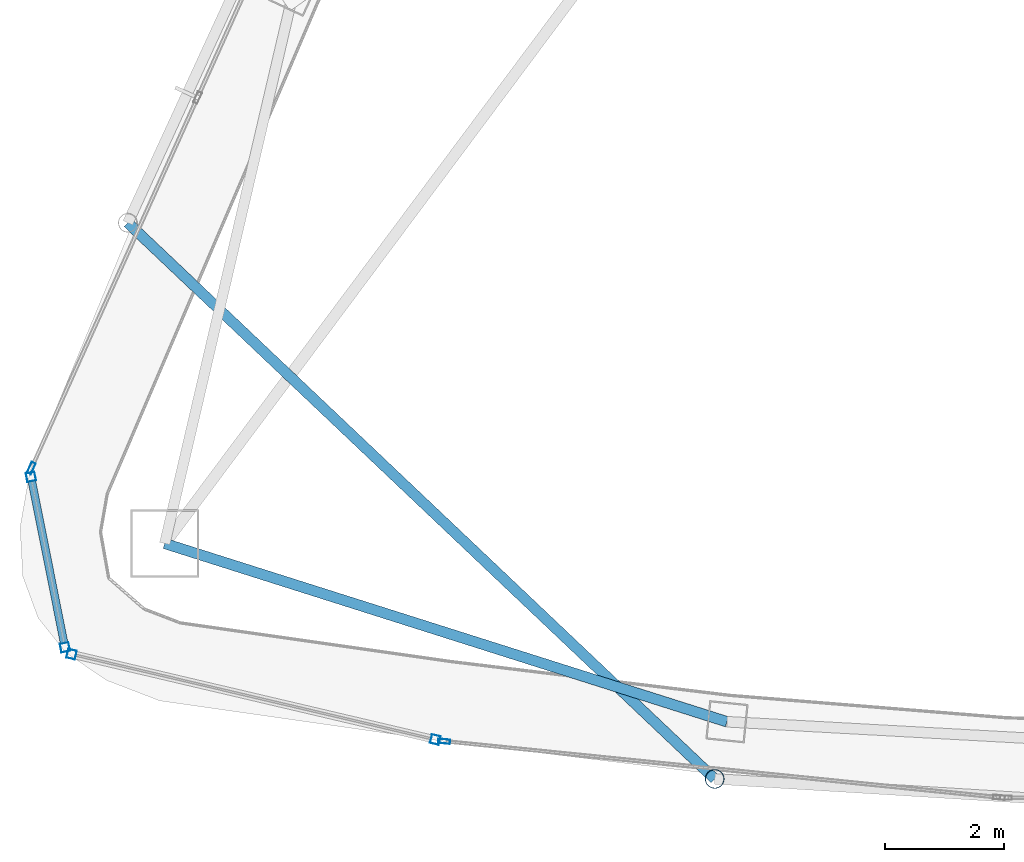
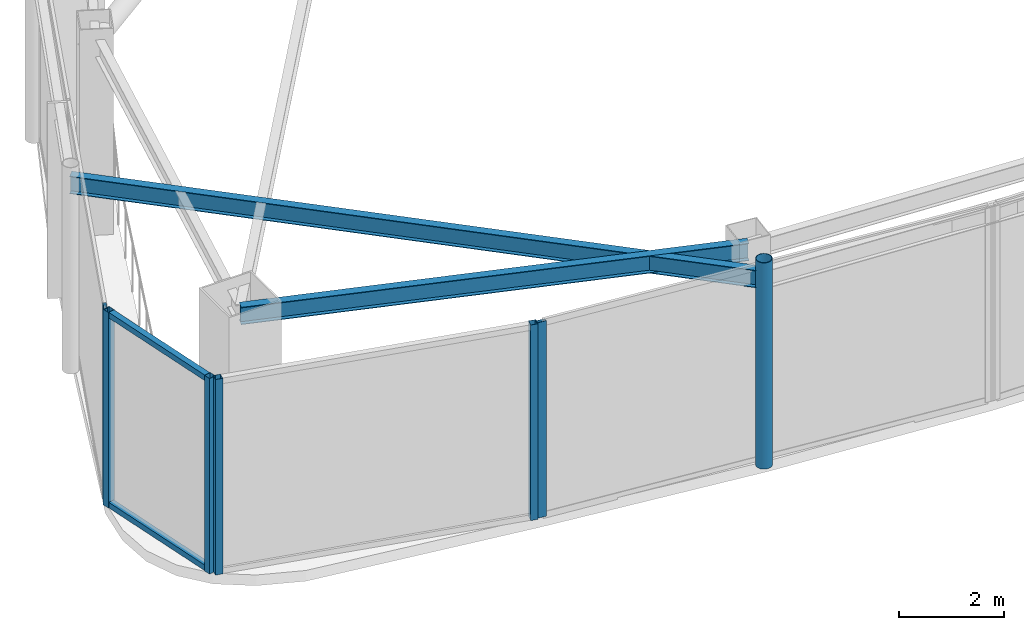
# One storey, part 2 of 20: 9 members, 2 beams, 4 elements without a shape of their own.
"""IFC4 building model written with IfcOpenShell, lengths in metres."""

import ifcopenshell
import ifcopenshell.guid

model = None  # the IFC model being written
_history = None  # IfcOwnerHistory: only IFC2X3 demands one
_inside = {}  # id of a spatial element -> (the spatial element, [elements in it])
_under = {}  # id of a project, library or spatial element -> (it, [spatial elements below it])
_declared = {}  # id of a project -> (the project, [libraries it declares])
_typed = {}  # id of a type object -> (the type object, [elements of that type])
_made_of = {}  # id of a material, layer set ... -> (it, [elements and type objects made of it])


def new_model(schema):
    """Start an empty IFC model of exactly this schema.

    Asked for "IFC4X3", IfcOpenShell would pick the latest addendum, in which some entities
    have other attributes; the version numbers below select the first issue.
    IFC2X3 requires an IfcOwnerHistory on every rooted entity: one is made here for all.
    """
    global model, _history
    if schema == "IFC4X3":
        model = ifcopenshell.file(schema_version=(4, 3, 0, 0))
    else:
        model = ifcopenshell.file(schema=schema)
    _inside.clear()
    _under.clear()
    _declared.clear()
    _typed.clear()
    _made_of.clear()
    _history = None
    if model.schema == "IFC2X3":
        org = make("IfcOrganization", Name="unknown")
        user = make(
            "IfcPersonAndOrganization",
            ThePerson=make("IfcPerson", FamilyName="unknown"),
            TheOrganization=org,
        )
        app = make(
            "IfcApplication",
            ApplicationDeveloper=org,
            Version="unknown",
            ApplicationFullName="unknown",
            ApplicationIdentifier="unknown",
        )
        _history = make(
            "IfcOwnerHistory",
            OwningUser=user,
            OwningApplication=app,
            ChangeAction="ADDED",
            CreationDate=0,
        )
    return model


def make(cls, **values):
    """One entity of the class cls with the attributes given. An attribute that is None is left unset."""
    return model.create_entity(
        cls, **{name: value for name, value in values.items() if value is not None}
    )


def rooted(cls, **values):
    """An entity with a GlobalId (a new one), such as an element, a storey or a relation."""
    return make(cls, GlobalId=ifcopenshell.guid.new(), OwnerHistory=_history, **values)


def si_unit(unit_type, name, prefix=None):
    """IfcSIUnit, for example si_unit("LENGTHUNIT", "METRE", prefix="MILLI")."""
    return make("IfcSIUnit", UnitType=unit_type, Prefix=prefix, Name=name)


def assignment(units):
    """IfcUnitAssignment: the units of a project."""
    return None if units is None else make("IfcUnitAssignment", Units=units)


def point(xyz):
    """IfcCartesianPoint."""
    return None if xyz is None else make("IfcCartesianPoint", Coordinates=xyz)


def direction(xyz):
    """IfcDirection."""
    return None if xyz is None else make("IfcDirection", DirectionRatios=xyz)


def frame(location, z_axis=None, x_axis=None):
    """IfcAxis2Placement3D, a coordinate frame: its origin and axes. An axis left out is left unset."""
    return make(
        "IfcAxis2Placement3D",
        Location=point(location),
        Axis=direction(z_axis),
        RefDirection=direction(x_axis),
    )


def frame_2d(location, x_axis=None):
    """IfcAxis2Placement2D, a coordinate frame in the plane: its origin and x axis."""
    return make(
        "IfcAxis2Placement2D", Location=point(location), RefDirection=direction(x_axis)
    )


def origin():
    """The frame at (0, 0, 0) with its axes left unset."""
    return frame((0.0, 0.0, 0.0))


def origin_2d():
    """The frame at (0, 0) in the plane with its x axis left unset."""
    return frame_2d((0.0, 0.0))


def place(relative_to, where):
    """IfcLocalPlacement: puts the frame where relative to a parent placement (None: the world)."""
    return make(
        "IfcLocalPlacement", PlacementRelTo=relative_to, RelativePlacement=where
    )


def context(
    kind, dimensions, precision=None, world=None, true_north=None, identifier=None
):
    """IfcGeometricRepresentationContext, for example the 3D "Model" context."""
    return make(
        "IfcGeometricRepresentationContext",
        ContextIdentifier=identifier,
        ContextType=kind,
        CoordinateSpaceDimension=dimensions,
        Precision=precision,
        WorldCoordinateSystem=world,
        TrueNorth=true_north,
    )


def subcontext(parent, identifier, kind, view, scale=None):
    """IfcGeometricRepresentationSubContext, for example "Body" below "Model"."""
    return make(
        "IfcGeometricRepresentationSubContext",
        ContextIdentifier=identifier,
        ContextType=kind,
        ParentContext=parent,
        TargetScale=scale,
        TargetView=view,
    )


def project(units=None, contexts=None):
    """IfcProject with its units and contexts."""
    return rooted(
        "IfcProject",
        Name="project",
        RepresentationContexts=contexts,
        UnitsInContext=assignment(units),
    )


def spatial(cls, under=None, at=None, **own):
    """A site, building, storey or space (cls), placed at a placement, below another one or the project."""
    s = rooted(cls, ObjectPlacement=at, **own)
    if under is not None:
        _under.setdefault(under.id(), (under, []))[1].append(s)
    return s


def profile(cls, at=None, kind="AREA", **sizes):
    """A parametric profile (cls). Its sizes go by their IFC names, for example OverallWidth=200.0."""
    return make(cls, ProfileType=kind, Position=at, **sizes)


def hollow_rectangle(**sizes):
    """IfcRectangleHollowProfileDef."""
    return profile("IfcRectangleHollowProfileDef", **sizes)


def hollow_circle(**sizes):
    """IfcCircleHollowProfileDef."""
    return profile("IfcCircleHollowProfileDef", **sizes)


def i_section(**sizes):
    """IfcIShapeProfileDef."""
    return profile("IfcIShapeProfileDef", **sizes)


def extrude(swept, where, along, depth):
    """IfcExtrudedAreaSolid: the profile swept, set in the frame where, extruded along a direction by depth."""
    return make(
        "IfcExtrudedAreaSolid",
        SweptArea=swept,
        Position=where,
        ExtrudedDirection=direction(along),
        Depth=depth,
    )


def shape(context_of_items, identifier, shape_type, items):
    """IfcShapeRepresentation: the items that make up one representation, for example the "Body"."""
    return make(
        "IfcShapeRepresentation",
        ContextOfItems=context_of_items,
        RepresentationIdentifier=identifier,
        RepresentationType=shape_type,
        Items=items,
    )


def material(Name=None, Category=None):
    """IfcMaterial."""
    return make("IfcMaterial", Name=Name, Category=Category)


def layer(
    of_material, thickness, ventilated=None, Name=None, Category=None, Priority=None
):
    """IfcMaterialLayer: one layer of a wall or slab, of a material (None: an air gap)."""
    return make(
        "IfcMaterialLayer",
        Material=of_material,
        LayerThickness=thickness,
        IsVentilated=ventilated,
        Name=Name,
        Category=Category,
        Priority=Priority,
    )


def layer_set(layers, Name=None):
    """IfcMaterialLayerSet."""
    return make("IfcMaterialLayerSet", MaterialLayers=layers, LayerSetName=Name)


def material_profile(
    of_material, cross_section, Name=None, Category=None, Priority=None
):
    """IfcMaterialProfile: a cross section and its material."""
    return make(
        "IfcMaterialProfile",
        Name=Name,
        Material=of_material,
        Profile=cross_section,
        Priority=Priority,
        Category=Category,
    )


def profile_set(profiles, Name=None, composite=None):
    """IfcMaterialProfileSet."""
    return make(
        "IfcMaterialProfileSet",
        Name=Name,
        MaterialProfiles=profiles,
        CompositeProfile=composite,
    )


def made_of(thing, what):
    """Note that an element or type object is made of a material, layer set ...; save() writes the relation."""
    if what is not None:
        _made_of.setdefault(what.id(), (what, []))[1].append(thing)
    return thing


def type_object(cls, material=None, **own):
    """A type object (cls), such as IfcWallType, which elements share."""
    return made_of(rooted(cls, **own), material)


def element(
    cls,
    number,
    at=None,
    inside=None,
    cuts=None,
    type_object=None,
    material=None,
    context=None,
    identifier="Body",
    shape_type=None,
    held_by="IfcProductDefinitionShape",
    body=None,
    shapes=None,
    **own,
):
    """One element of the class cls, such as IfcWall. Its Tag is "e" and its number.

    at: its placement. inside: the storey or other place that contains it. cuts: it is an
    opening in that element (IfcRelVoidsElement). A single representation is given by context,
    identifier, shape_type and body (its items); several are given by shapes. held_by: the class
    of the entity that holds the representations. save() writes the other relations.
    """
    e = rooted(cls, Tag="e%d" % number, ObjectPlacement=at, **own)
    if body is not None:
        shapes = [shape(context, identifier, shape_type, body)]
    if shapes is not None:
        e.Representation = make(held_by, Representations=shapes)
    if inside is not None:
        _inside.setdefault(inside.id(), (inside, []))[1].append(e)
    if cuts is not None:
        rooted(
            "IfcRelVoidsElement", RelatingBuildingElement=cuts, RelatedOpeningElement=e
        )
    if type_object is not None:
        _typed.setdefault(type_object.id(), (type_object, []))[1].append(e)
    return made_of(e, material)


def aggregate(whole, parts):
    """IfcRelAggregates: a whole, such as a stair, and the parts it consists of."""
    return rooted("IfcRelAggregates", RelatingObject=whole, RelatedObjects=parts)


def save(model, path):
    """Write the relations noted so far, then the file.

    IfcRelAggregates (storeys below a building ...), IfcRelContainedInSpatialStructure (elements
    in a storey), IfcRelDefinesByType, IfcRelAssociatesMaterial and IfcRelDeclares: one each for
    every whole, place, type object, material and project.
    """
    for whole, parts in _under.values():
        aggregate(whole, parts)
    for where, things in _inside.values():
        rooted(
            "IfcRelContainedInSpatialStructure",
            RelatedElements=things,
            RelatingStructure=where,
        )
    for kind, things in _typed.values():
        rooted("IfcRelDefinesByType", RelatedObjects=things, RelatingType=kind)
    for what, things in _made_of.values():
        rooted("IfcRelAssociatesMaterial", RelatedObjects=things, RelatingMaterial=what)
    for by, libraries in _declared.values():
        rooted("IfcRelDeclares", RelatingContext=by, RelatedDefinitions=libraries)
    model.write(path)


model = new_model("IFC4")

# Units and contexts
model_context = context("Model", 3, precision=1e-05, world=origin(), true_north=direction((0.0, 1.0)))
body_context = subcontext(model_context, "Body", "Model", "MODEL_VIEW")
ifc_project = project(units=[si_unit("LENGTHUNIT", "METRE"), si_unit("AREAUNIT", "SQUARE_METRE"), si_unit("VOLUMEUNIT", "CUBIC_METRE"), si_unit("PLANEANGLEUNIT", "RADIAN"), si_unit("MASSUNIT", "GRAM", prefix="KILO")], contexts=[model_context])

# Site, building, storey
site_placement = place(None, origin())
site = spatial("IfcSite", under=ifc_project, at=site_placement, CompositionType="ELEMENT")
building_placement = place(site_placement, origin())
building = spatial("IfcBuilding", under=site, at=building_placement, Name="Orvanel Arch Residences", CompositionType="ELEMENT")
storey_placement = place(building_placement, frame((0.0, 0.0, 305.300048828125)))
storey = spatial("IfcBuildingStorey", under=building, at=storey_placement, Name="L85", CompositionType="ELEMENT", Elevation=305.300048828125)

# Curtain wall, members
ifc_material_1 = material(Name="Bronze-anodised aluminium AA6063-T6", Category="aluminium")
ifc_layer = layer(ifc_material_1, 0.2099609375)
ifc_layer_set = layer_set([ifc_layer], Name="Bronze-anodised aluminium AA6063-T6")
curtain_wall_type = type_object("IfcCurtainWallType", Name="CW7-TOP-SYS", PredefinedType="NOTDEFINED", material=ifc_layer_set)
curtain_wall_1_placement = place(storey_placement, origin())
curtain_wall_1 = element("IfcCurtainWall", 1, at=curtain_wall_1_placement, inside=storey, type_object=curtain_wall_type, Name="L85 CW7-TOP-SYS Unitised Curtain Wall", PredefinedType="NOTDEFINED")
ifc_material_profile_1 = material_profile(ifc_material_1, hollow_rectangle(XDim=0.14990234375, YDim=0.14990234375, WallThickness=0.0048828125, at=origin_2d()), Name="ALU150x150x5")
ifc_profile_set_1 = profile_set([ifc_material_profile_1], Name="Bronze-anodised aluminium AA6063-T6")
member_type_1 = type_object("IfcMemberType", Name="MUL-150x150", PredefinedType="MULLION", material=ifc_profile_set_1)
member_1_placement = place(storey_placement, frame((11.95068359375, 11.471435546875, 0.0), z_axis=(0.0, 0.0, 1.0), x_axis=(0.980680696495, 0.195615366274, 0.0)))
member_1 = element("IfcMember", 2, at=member_1_placement, type_object=member_type_1, Name="CW-S7 mullion 1", PredefinedType="MULLION", context=body_context, shape_type="SweptSolid", body=[
    extrude(hollow_rectangle(XDim=0.14990234375, YDim=0.14990234375, WallThickness=0.0048828125, at=origin_2d()), origin(), (0.0, 0.0, 1.0), 4.550048828125),
])
member_2_placement = place(storey_placement, frame((12.522216796875, 8.60546875, 0.0), z_axis=(0.0, 0.0, 1.0), x_axis=(0.980680696495, 0.195615366274, 0.0)))
member_2 = element("IfcMember", 3, at=member_2_placement, type_object=member_type_1, Name="CW-S7 mullion 2", PredefinedType="MULLION", context=body_context, shape_type="SweptSolid", body=[
    extrude(hollow_rectangle(XDim=0.14990234375, YDim=0.14990234375, WallThickness=0.0048828125, at=origin_2d()), origin(), (0.0, 0.0, 1.0), 4.550048828125),
])

curtain_wall_2_placement = place(storey_placement, origin())
curtain_wall_2 = element("IfcCurtainWall", 4, at=curtain_wall_2_placement, inside=storey, type_object=curtain_wall_type, Name="L85 CW7-TOP-SYS Unitised Curtain Wall", PredefinedType="NOTDEFINED")
member_3_placement = place(storey_placement, frame((12.633056640625, 8.48974609375, 0.0), z_axis=(0.0, 0.0, 1.0), x_axis=(0.22864052585, 0.973510919271, 0.0)))
member_3 = element("IfcMember", 5, at=member_3_placement, type_object=member_type_1, Name="CW-S7 mullion 1", PredefinedType="MULLION", context=body_context, shape_type="SweptSolid", body=[
    extrude(hollow_rectangle(XDim=0.14990234375, YDim=0.14990234375, WallThickness=0.0048828125, at=origin_2d()), origin(), (0.0, 0.0, 1.0), 4.550048828125),
])
member_4_placement = place(storey_placement, frame((18.74609375, 7.05419921875, 0.0), z_axis=(0.0, 0.0, 1.0), x_axis=(0.22864052585, 0.973510919271, 0.0)))
member_4 = element("IfcMember", 6, at=member_4_placement, type_object=member_type_1, Name="CW-S7 mullion 2", PredefinedType="MULLION", context=body_context, shape_type="SweptSolid", body=[
    extrude(hollow_rectangle(XDim=0.14990234375, YDim=0.14990234375, WallThickness=0.0048828125, at=origin_2d()), origin(), (0.0, 0.0, 1.0), 4.550048828125),
])
aggregate(curtain_wall_2, [member_3, member_4])

# Curtain wall, member
curtain_wall_3_placement = place(storey_placement, origin())
curtain_wall_3 = element("IfcCurtainWall", 7, at=curtain_wall_3_placement, inside=storey, type_object=curtain_wall_type, Name="L85 CW7-TOP-SYS Unitised Curtain Wall", PredefinedType="NOTDEFINED")
ifc_material_profile_2 = material_profile(ifc_material_1, hollow_rectangle(XDim=0.074951171875, YDim=0.199951171875, WallThickness=0.0048828125, at=origin_2d()), Name="ALU200x75x5")
ifc_profile_set_2 = profile_set([ifc_material_profile_2], Name="Bronze-anodised aluminium AA6063-T6")
member_type_2 = type_object("IfcMemberType", Name="MUL-200x75", PredefinedType="MULLION", material=ifc_profile_set_2)
member_5_placement = place(storey_placement, frame((11.955322265625, 11.6171875, 0.0), z_axis=(0.0, 0.0, 1.0), x_axis=(0.912376147447, -0.40935286193, 0.0)))
member_5 = element("IfcMember", 8, at=member_5_placement, type_object=member_type_2, Name="CW-S7 mullion 3", PredefinedType="MULLION", context=body_context, shape_type="SweptSolid", body=[
    extrude(hollow_rectangle(XDim=0.074951171875, YDim=0.199951171875, WallThickness=0.0048828125, at=origin_2d()), origin(), (0.0, 0.0, 1.0), 4.550048828125),
])
aggregate(curtain_wall_3, [member_5])

curtain_wall_4_placement = place(storey_placement, origin())
curtain_wall_4 = element("IfcCurtainWall", 9, at=curtain_wall_4_placement, inside=storey, type_object=curtain_wall_type, Name="L85 CW7-TOP-SYS Unitised Curtain Wall", PredefinedType="NOTDEFINED")
member_6_placement = place(storey_placement, frame((18.895263671875, 7.026123046875, 0.0), z_axis=(0.0, 0.0, 1.0), x_axis=(0.10054103466, 0.994932912487, 0.0)))
member_6 = element("IfcMember", 10, at=member_6_placement, type_object=member_type_2, Name="CW-S7 mullion 1", PredefinedType="MULLION", context=body_context, shape_type="SweptSolid", body=[
    extrude(hollow_rectangle(XDim=0.074951171875, YDim=0.199951171875, WallThickness=0.0048828125, at=origin_2d()), origin(), (0.0, 0.0, 1.0), 4.550048828125),
])
aggregate(curtain_wall_4, [member_6])

# Beams
ifc_material_2 = material(Name="Structural steel AS/NZS 3679.1 Grade 300 (300 MPa)", Category="steel")
ifc_material_profile_3 = material_profile(ifc_material_2, i_section(OverallWidth=0.177978515625, OverallDepth=0.406005859375, WebThickness=0.0078125, FlangeThickness=0.0126953125, at=origin_2d()), Name="410UB59.7")
ifc_profile_set_3 = profile_set([ifc_material_profile_3], Name="Structural steel AS/NZS 3679.1 Grade 300 (300 MPa)")
beam_type_1 = type_object("IfcBeamType", Name="OB-410UB", PredefinedType="SPANDREL", material=ifc_profile_set_3)
beam_1_placement = place(storey_placement, frame((14.198974609375, 10.35107421875, 4.346923828125), z_axis=(0.953237386592, -0.302222574941, 0.0), x_axis=(0.302222574941, 0.953237386592, 0.0)))
element("IfcBeam", 11, at=beam_1_placement, inside=storey, type_object=beam_type_1, Name="L85 Perimeter Spandrel Beam 02", PredefinedType="SPANDREL", context=body_context, shape_type="SweptSolid", body=[
    extrude(i_section(OverallWidth=0.177978515625, OverallDepth=0.406005859375, WebThickness=0.0078125, FlangeThickness=0.0126953125, at=origin_2d()), origin(), (0.0, 0.0, 1.0), 9.91357421875),
])
ifc_material_profile_4 = material_profile(ifc_material_2, i_section(OverallWidth=0.177978515625, OverallDepth=0.406005859375, WebThickness=0.0078125, FlangeThickness=0.0126953125, at=origin_2d()), Name="410UB59.7")
ifc_profile_set_4 = profile_set([ifc_material_profile_4], Name="Structural steel AS/NZS 3679.1 Grade 300 (300 MPa)")
beam_type_2 = type_object("IfcBeamType", Name="OB-410UB-EXT", PredefinedType="SPANDREL", material=ifc_profile_set_4)
beam_2_placement = place(storey_placement, frame((13.577880859375, 15.740966796875, 4.346923828125), z_axis=(0.72587667187, -0.687824873958, 0.0), x_axis=(0.687824873958, 0.72587667187, 0.0)))
element("IfcBeam", 12, at=beam_2_placement, inside=storey, type_object=beam_type_2, Name="L85 Outer Perimeter Floor Ring Beam 04", PredefinedType="SPANDREL", context=body_context, shape_type="SweptSolid", body=[
    extrude(i_section(OverallWidth=0.177978515625, OverallDepth=0.406005859375, WebThickness=0.0078125, FlangeThickness=0.0126953125, at=origin_2d()), origin(), (0.0, 0.0, 1.0), 13.589111328125),
])

# Member
ifc_material_3 = material(Name="Structural steel AS/NZS 1163 C350L0 (Grade 350)", Category="steel")
ifc_material_profile_5 = material_profile(ifc_material_3, hollow_circle(Radius=0.162109375, WallThickness=0.0126953125, at=origin_2d()), Name="CHS324x12.7")
ifc_profile_set_5 = profile_set([ifc_material_profile_5], Name="Structural steel AS/NZS 1163 C350L0 (Grade 350)")
member_type_3 = type_object("IfcMemberType", Name="ST-324CHS-EXT", PredefinedType="STRUT", material=ifc_profile_set_5)
member_7_placement = place(storey_placement, frame((23.44189453125, 6.39404296875, 0.0), z_axis=(0.0, 0.0, 1.0), x_axis=(1.0, 0.0, 0.0)))
element("IfcMember", 13, at=member_7_placement, inside=storey, type_object=member_type_3, Name="L85 Outer Perimeter Frame Post 05", PredefinedType="STRUT", context=body_context, shape_type="SweptSolid", body=[
    extrude(hollow_circle(Radius=0.162109375, WallThickness=0.0126953125, at=origin_2d()), origin(), (0.0, 0.0, 1.0), 4.800048828125),
])

ifc_material_profile_6 = material_profile(ifc_material_1, hollow_rectangle(XDim=0.1298828125, YDim=0.1298828125, WallThickness=0.00439453125, at=origin_2d()), Name="ALU130x130x4.5")
ifc_profile_set_6 = profile_set([ifc_material_profile_6], Name="Bronze-anodised aluminium AA6063-T6")
member_type_4 = type_object("IfcMemberType", Name="TRN-130x130", PredefinedType="USERDEFINED", material=ifc_profile_set_6)
member_8_placement = place(storey_placement, frame((11.96533203125, 11.39794921875, 0.06494140625), z_axis=(0.195591107521, -0.980685535051, 0.0), x_axis=(0.980685535051, 0.195591107521, 0.0)))
member_8 = element("IfcMember", 14, at=member_8_placement, type_object=member_type_4, Name="CW-S7 transom 1.1", ObjectType="TRANSOM", PredefinedType="USERDEFINED", context=body_context, shape_type="SweptSolid", body=[
    extrude(hollow_rectangle(XDim=0.1298828125, YDim=0.1298828125, WallThickness=0.00439453125, at=origin_2d()), origin(), (0.0, 0.0, 1.0), 2.772216796875),
])

member_9_placement = place(storey_placement, frame((11.96533203125, 11.39794921875, 4.48486328125), z_axis=(0.195591107521, -0.980685535051, 0.0), x_axis=(0.980685535051, 0.195591107521, 0.0)))
member_9 = element("IfcMember", 15, at=member_9_placement, type_object=member_type_4, Name="CW-S7 transom 1.2", ObjectType="TRANSOM", PredefinedType="USERDEFINED", context=body_context, shape_type="SweptSolid", body=[
    extrude(hollow_rectangle(XDim=0.1298828125, YDim=0.1298828125, WallThickness=0.00439453125, at=origin_2d()), origin(), (0.0, 0.0, 1.0), 2.772216796875),
])

aggregate(curtain_wall_1, [member_1, member_2, member_8, member_9])

save(model, "model.ifc")
